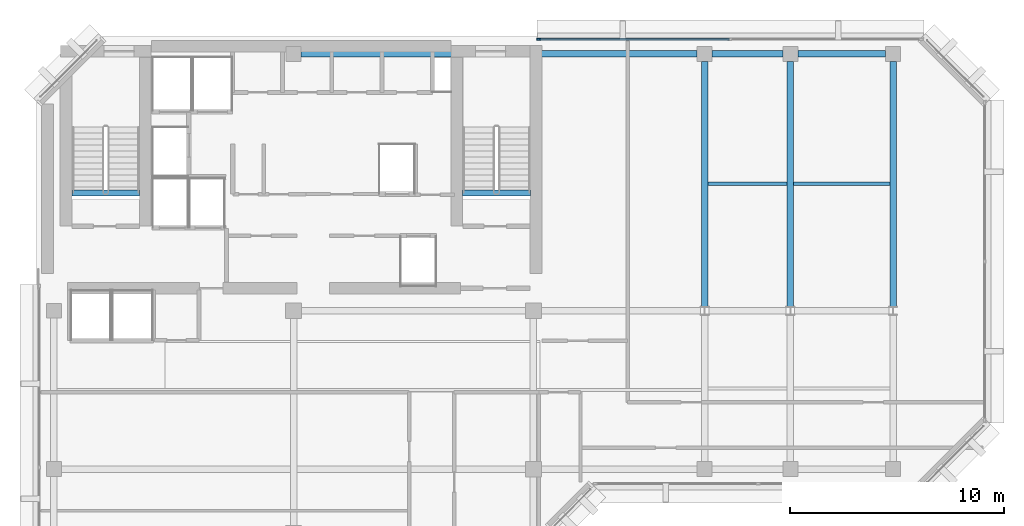
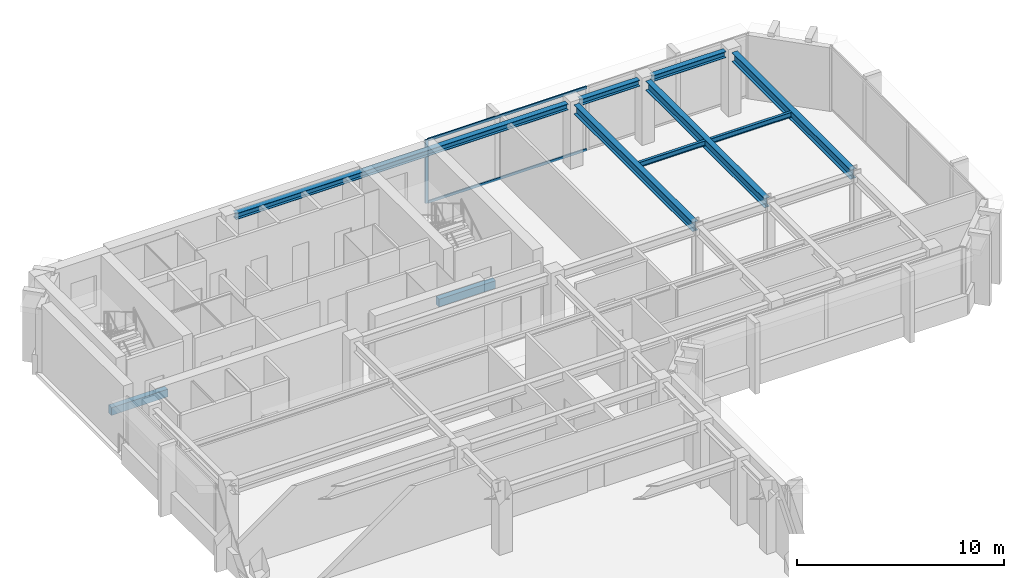
# One storey, part 4 of 12: 10 beams, 3 members, 1 element without a shape of its own.
"""IFC4 building model written with IfcOpenShell, lengths in metres."""

import ifcopenshell
import ifcopenshell.guid

model = None  # the IFC model being written
_history = None  # IfcOwnerHistory: only IFC2X3 demands one
_inside = {}  # id of a spatial element -> (the spatial element, [elements in it])
_under = {}  # id of a project, library or spatial element -> (it, [spatial elements below it])
_declared = {}  # id of a project -> (the project, [libraries it declares])
_typed = {}  # id of a type object -> (the type object, [elements of that type])
_made_of = {}  # id of a material, layer set ... -> (it, [elements and type objects made of it])


def new_model(schema):
    """Start an empty IFC model of exactly this schema.

    Asked for "IFC4X3", IfcOpenShell would pick the latest addendum, in which some entities
    have other attributes; the version numbers below select the first issue.
    IFC2X3 requires an IfcOwnerHistory on every rooted entity: one is made here for all.
    """
    global model, _history
    if schema == "IFC4X3":
        model = ifcopenshell.file(schema_version=(4, 3, 0, 0))
    else:
        model = ifcopenshell.file(schema=schema)
    _inside.clear()
    _under.clear()
    _declared.clear()
    _typed.clear()
    _made_of.clear()
    _history = None
    if model.schema == "IFC2X3":
        org = make("IfcOrganization", Name="unknown")
        user = make(
            "IfcPersonAndOrganization",
            ThePerson=make("IfcPerson", FamilyName="unknown"),
            TheOrganization=org,
        )
        app = make(
            "IfcApplication",
            ApplicationDeveloper=org,
            Version="unknown",
            ApplicationFullName="unknown",
            ApplicationIdentifier="unknown",
        )
        _history = make(
            "IfcOwnerHistory",
            OwningUser=user,
            OwningApplication=app,
            ChangeAction="ADDED",
            CreationDate=0,
        )
    return model


def make(cls, **values):
    """One entity of the class cls with the attributes given. An attribute that is None is left unset."""
    return model.create_entity(
        cls, **{name: value for name, value in values.items() if value is not None}
    )


def rooted(cls, **values):
    """An entity with a GlobalId (a new one), such as an element, a storey or a relation."""
    return make(cls, GlobalId=ifcopenshell.guid.new(), OwnerHistory=_history, **values)


def si_unit(unit_type, name, prefix=None):
    """IfcSIUnit, for example si_unit("LENGTHUNIT", "METRE", prefix="MILLI")."""
    return make("IfcSIUnit", UnitType=unit_type, Prefix=prefix, Name=name)


def assignment(units):
    """IfcUnitAssignment: the units of a project."""
    return None if units is None else make("IfcUnitAssignment", Units=units)


def point(xyz):
    """IfcCartesianPoint."""
    return None if xyz is None else make("IfcCartesianPoint", Coordinates=xyz)


def direction(xyz):
    """IfcDirection."""
    return None if xyz is None else make("IfcDirection", DirectionRatios=xyz)


def frame(location, z_axis=None, x_axis=None):
    """IfcAxis2Placement3D, a coordinate frame: its origin and axes. An axis left out is left unset."""
    return make(
        "IfcAxis2Placement3D",
        Location=point(location),
        Axis=direction(z_axis),
        RefDirection=direction(x_axis),
    )


def frame_2d(location, x_axis=None):
    """IfcAxis2Placement2D, a coordinate frame in the plane: its origin and x axis."""
    return make(
        "IfcAxis2Placement2D", Location=point(location), RefDirection=direction(x_axis)
    )


def origin():
    """The frame at (0, 0, 0) with its axes left unset."""
    return frame((0.0, 0.0, 0.0))


def origin_2d():
    """The frame at (0, 0) in the plane with its x axis left unset."""
    return frame_2d((0.0, 0.0))


def place(relative_to, where):
    """IfcLocalPlacement: puts the frame where relative to a parent placement (None: the world)."""
    return make(
        "IfcLocalPlacement", PlacementRelTo=relative_to, RelativePlacement=where
    )


def context(
    kind, dimensions, precision=None, world=None, true_north=None, identifier=None
):
    """IfcGeometricRepresentationContext, for example the 3D "Model" context."""
    return make(
        "IfcGeometricRepresentationContext",
        ContextIdentifier=identifier,
        ContextType=kind,
        CoordinateSpaceDimension=dimensions,
        Precision=precision,
        WorldCoordinateSystem=world,
        TrueNorth=true_north,
    )


def subcontext(parent, identifier, kind, view, scale=None):
    """IfcGeometricRepresentationSubContext, for example "Body" below "Model"."""
    return make(
        "IfcGeometricRepresentationSubContext",
        ContextIdentifier=identifier,
        ContextType=kind,
        ParentContext=parent,
        TargetScale=scale,
        TargetView=view,
    )


def project(units=None, contexts=None):
    """IfcProject with its units and contexts."""
    return rooted(
        "IfcProject",
        Name="project",
        RepresentationContexts=contexts,
        UnitsInContext=assignment(units),
    )


def spatial(cls, under=None, at=None, **own):
    """A site, building, storey or space (cls), placed at a placement, below another one or the project."""
    s = rooted(cls, ObjectPlacement=at, **own)
    if under is not None:
        _under.setdefault(under.id(), (under, []))[1].append(s)
    return s


def profile(cls, at=None, kind="AREA", **sizes):
    """A parametric profile (cls). Its sizes go by their IFC names, for example OverallWidth=200.0."""
    return make(cls, ProfileType=kind, Position=at, **sizes)


def rectangle(**sizes):
    """IfcRectangleProfileDef."""
    return profile("IfcRectangleProfileDef", **sizes)


def i_section(**sizes):
    """IfcIShapeProfileDef."""
    return profile("IfcIShapeProfileDef", **sizes)


def extrude(swept, where, along, depth):
    """IfcExtrudedAreaSolid: the profile swept, set in the frame where, extruded along a direction by depth."""
    return make(
        "IfcExtrudedAreaSolid",
        SweptArea=swept,
        Position=where,
        ExtrudedDirection=direction(along),
        Depth=depth,
    )


def shape(context_of_items, identifier, shape_type, items):
    """IfcShapeRepresentation: the items that make up one representation, for example the "Body"."""
    return make(
        "IfcShapeRepresentation",
        ContextOfItems=context_of_items,
        RepresentationIdentifier=identifier,
        RepresentationType=shape_type,
        Items=items,
    )


def material(Name=None, Category=None):
    """IfcMaterial."""
    return make("IfcMaterial", Name=Name, Category=Category)


def layer(
    of_material, thickness, ventilated=None, Name=None, Category=None, Priority=None
):
    """IfcMaterialLayer: one layer of a wall or slab, of a material (None: an air gap)."""
    return make(
        "IfcMaterialLayer",
        Material=of_material,
        LayerThickness=thickness,
        IsVentilated=ventilated,
        Name=Name,
        Category=Category,
        Priority=Priority,
    )


def layer_set(layers, Name=None):
    """IfcMaterialLayerSet."""
    return make("IfcMaterialLayerSet", MaterialLayers=layers, LayerSetName=Name)


def material_profile(
    of_material, cross_section, Name=None, Category=None, Priority=None
):
    """IfcMaterialProfile: a cross section and its material."""
    return make(
        "IfcMaterialProfile",
        Name=Name,
        Material=of_material,
        Profile=cross_section,
        Priority=Priority,
        Category=Category,
    )


def profile_set(profiles, Name=None, composite=None):
    """IfcMaterialProfileSet."""
    return make(
        "IfcMaterialProfileSet",
        Name=Name,
        MaterialProfiles=profiles,
        CompositeProfile=composite,
    )


def made_of(thing, what):
    """Note that an element or type object is made of a material, layer set ...; save() writes the relation."""
    if what is not None:
        _made_of.setdefault(what.id(), (what, []))[1].append(thing)
    return thing


def type_object(cls, material=None, **own):
    """A type object (cls), such as IfcWallType, which elements share."""
    return made_of(rooted(cls, **own), material)


def element(
    cls,
    number,
    at=None,
    inside=None,
    cuts=None,
    type_object=None,
    material=None,
    context=None,
    identifier="Body",
    shape_type=None,
    held_by="IfcProductDefinitionShape",
    body=None,
    shapes=None,
    **own,
):
    """One element of the class cls, such as IfcWall. Its Tag is "e" and its number.

    at: its placement. inside: the storey or other place that contains it. cuts: it is an
    opening in that element (IfcRelVoidsElement). A single representation is given by context,
    identifier, shape_type and body (its items); several are given by shapes. held_by: the class
    of the entity that holds the representations. save() writes the other relations.
    """
    e = rooted(cls, Tag="e%d" % number, ObjectPlacement=at, **own)
    if body is not None:
        shapes = [shape(context, identifier, shape_type, body)]
    if shapes is not None:
        e.Representation = make(held_by, Representations=shapes)
    if inside is not None:
        _inside.setdefault(inside.id(), (inside, []))[1].append(e)
    if cuts is not None:
        rooted(
            "IfcRelVoidsElement", RelatingBuildingElement=cuts, RelatedOpeningElement=e
        )
    if type_object is not None:
        _typed.setdefault(type_object.id(), (type_object, []))[1].append(e)
    return made_of(e, material)


def aggregate(whole, parts):
    """IfcRelAggregates: a whole, such as a stair, and the parts it consists of."""
    return rooted("IfcRelAggregates", RelatingObject=whole, RelatedObjects=parts)


def save(model, path):
    """Write the relations noted so far, then the file.

    IfcRelAggregates (storeys below a building ...), IfcRelContainedInSpatialStructure (elements
    in a storey), IfcRelDefinesByType, IfcRelAssociatesMaterial and IfcRelDeclares: one each for
    every whole, place, type object, material and project.
    """
    for whole, parts in _under.values():
        aggregate(whole, parts)
    for where, things in _inside.values():
        rooted(
            "IfcRelContainedInSpatialStructure",
            RelatedElements=things,
            RelatingStructure=where,
        )
    for kind, things in _typed.values():
        rooted("IfcRelDefinesByType", RelatedObjects=things, RelatingType=kind)
    for what, things in _made_of.values():
        rooted("IfcRelAssociatesMaterial", RelatedObjects=things, RelatingMaterial=what)
    for by, libraries in _declared.values():
        rooted("IfcRelDeclares", RelatingContext=by, RelatedDefinitions=libraries)
    model.write(path)


model = new_model("IFC4")

# Units and contexts
model_context = context("Model", 3, precision=1e-05, world=origin(), true_north=direction((0.0, 1.0)))
body_context = subcontext(model_context, "Body", "Model", "MODEL_VIEW")
ifc_project = project(units=[si_unit("LENGTHUNIT", "METRE"), si_unit("AREAUNIT", "SQUARE_METRE"), si_unit("VOLUMEUNIT", "CUBIC_METRE"), si_unit("PLANEANGLEUNIT", "RADIAN"), si_unit("MASSUNIT", "GRAM", prefix="KILO")], contexts=[model_context])

# Site, building, storey
site_placement = place(None, origin())
site = spatial("IfcSite", under=ifc_project, at=site_placement, CompositionType="ELEMENT")
building_placement = place(site_placement, origin())
building = spatial("IfcBuilding", under=site, at=building_placement, Name="Kefirva Bronze Tower", CompositionType="ELEMENT")
storey_placement = place(building_placement, frame((0.0, 0.0, 327.68994140625)))
storey = spatial("IfcBuildingStorey", under=building, at=storey_placement, Name="L80", CompositionType="ELEMENT", Elevation=327.68994140625)

# Curtain wall, members
ifc_material_1 = material(Name="Bronze anodised aluminium", Category="aluminium")
ifc_layer = layer(ifc_material_1, 0.179931640625, Name="Bronze anodised aluminium")
ifc_layer_set = layer_set([ifc_layer], Name="Bronze anodised aluminium")
curtain_wall_type = type_object("IfcCurtainWallType", Name="Unitised Bronze Ribbon Curtain Wall Zone 4", PredefinedType="USERDEFINED", material=ifc_layer_set)
curtain_wall_placement = place(storey_placement, origin())
curtain_wall = element("IfcCurtainWall", 1, at=curtain_wall_placement, inside=storey, type_object=curtain_wall_type, Name="L80 Curtain Wall 3", ObjectType="UNITISED CURTAIN WALL", PredefinedType="USERDEFINED")
ifc_material_profile_1 = material_profile(ifc_material_1, rectangle(XDim=0.074951171875, YDim=0.179931640625, at=origin_2d()), Name="ALU 75x180")
ifc_profile_set_1 = profile_set([ifc_material_profile_1], Name="Bronze anodised aluminium")
member_type_1 = type_object("IfcMemberType", Name="Bronze Mullion 75x180", PredefinedType="MULLION", material=ifc_profile_set_1)
member_1_placement = place(storey_placement, frame((23.4423828125, 45.8798828125, 0.0), z_axis=(0.0, 0.0, 1.0), x_axis=(0.0, -1.0, 0.0)))
member_1 = element("IfcMember", 2, at=member_1_placement, type_object=member_type_1, Name="CW-04 mullion 3", PredefinedType="MULLION", context=body_context, shape_type="SweptSolid", body=[
    extrude(rectangle(XDim=0.074951171875, YDim=0.179931640625, at=origin_2d()), origin(), (0.0, 0.0, 1.0), 3.739990234375),
])
ifc_material_profile_2 = material_profile(ifc_material_1, rectangle(XDim=0.074951171875, YDim=0.14990234375, at=origin_2d()), Name="ALU 75x150")
ifc_profile_set_2 = profile_set([ifc_material_profile_2], Name="Bronze anodised aluminium")
member_type_2 = type_object("IfcMemberType", Name="Bronze Transom 75x150", PredefinedType="USERDEFINED", material=ifc_profile_set_2)
member_2_placement = place(storey_placement, frame((32.33740234375, 45.8798828125, 0.03759765625), z_axis=(-1.0, 0.0, 0.0), x_axis=(0.0, -1.0, 0.0)))
member_2 = element("IfcMember", 3, at=member_2_placement, type_object=member_type_2, Name="CW-04 transom 2.1", ObjectType="TRANSOM", PredefinedType="USERDEFINED", context=body_context, shape_type="SweptSolid", body=[
    extrude(rectangle(XDim=0.074951171875, YDim=0.14990234375, at=origin_2d()), origin(), (0.0, 0.0, 1.0), 8.857421875),
])
member_3_placement = place(storey_placement, frame((32.33740234375, 45.8798828125, 3.70263671875), z_axis=(-1.0, 0.0, 0.0), x_axis=(0.0, -1.0, 0.0)))
member_3 = element("IfcMember", 4, at=member_3_placement, type_object=member_type_2, Name="CW-04 transom 2.2", ObjectType="TRANSOM", PredefinedType="USERDEFINED", context=body_context, shape_type="SweptSolid", body=[
    extrude(rectangle(XDim=0.074951171875, YDim=0.14990234375, at=origin_2d()), origin(), (0.0, 0.0, 1.0), 8.857421875),
])
aggregate(curtain_wall, [member_1, member_2, member_3])

# Beams
ifc_material_2 = material(Name="Concrete C50/60", Category="concrete")
ifc_material_profile_3 = material_profile(ifc_material_2, rectangle(XDim=0.300048828125, YDim=0.449951171875, at=origin_2d()), Name="RC 300x450")
ifc_profile_set_3 = profile_set([ifc_material_profile_3], Name="Concrete C50/60")
beam_type_1 = type_object("IfcBeamType", Name="RC Stair Trimmer Beam 300x450", PredefinedType="BEAM", material=ifc_profile_set_3)
beam_1_placement = place(storey_placement, frame((1.64501953125, 38.699951171875, -0.224853515625), z_axis=(1.0, 0.0, 0.0), x_axis=(0.0, 1.0, 0.0)))
element("IfcBeam", 5, at=beam_1_placement, inside=storey, type_object=beam_type_1, Name="L80 Stair 1 Landing Trimmer Beam", PredefinedType="BEAM", context=body_context, shape_type="SweptSolid", body=[
    extrude(rectangle(XDim=0.300048828125, YDim=0.449951171875, at=origin_2d()), origin(), (0.0, 0.0, 1.0), 3.14990234375),
])
beam_2_placement = place(storey_placement, frame((19.89501953125, 38.699951171875, -0.224853515625), z_axis=(1.0, 0.0, 0.0), x_axis=(0.0, 1.0, 0.0)))
element("IfcBeam", 6, at=beam_2_placement, inside=storey, type_object=beam_type_1, Name="L80 Stair 2 Landing Trimmer Beam", PredefinedType="BEAM", context=body_context, shape_type="SweptSolid", body=[
    extrude(rectangle(XDim=0.300048828125, YDim=0.449951171875, at=origin_2d()), origin(), (0.0, 0.0, 1.0), 3.159912109375),
])
ifc_material_3 = material(Name="Steel S355", Category="steel")
ifc_material_profile_4 = material_profile(ifc_material_3, i_section(OverallWidth=0.14990234375, OverallDepth=0.300048828125, WebThickness=0.007080078125, FlangeThickness=0.0107421875, at=origin_2d()), Name="IPE 300")
ifc_profile_set_4 = profile_set([ifc_material_profile_4], Name="Steel S355")
beam_type_2 = type_object("IfcBeamType", Name="Steel Floor Joist IPE 300", PredefinedType="JOIST", material=ifc_profile_set_4)
beam_3_placement = place(storey_placement, frame((31.35009765625, 39.12890625, 3.590087890625), z_axis=(1.0, 0.0, 0.0), x_axis=(0.0, 1.0, 0.0)))
element("IfcBeam", 7, at=beam_3_placement, inside=storey, type_object=beam_type_2, Name="L80 JST-L80-31-391", PredefinedType="JOIST", context=body_context, shape_type="SweptSolid", body=[
    extrude(i_section(OverallWidth=0.14990234375, OverallDepth=0.300048828125, WebThickness=0.007080078125, FlangeThickness=0.0107421875, at=origin_2d()), origin(), (0.0, 0.0, 1.0), 3.699951171875),
])
beam_4_placement = place(storey_placement, frame((35.35009765625, 39.12890625, 3.590087890625), z_axis=(1.0, 0.0, 0.0), x_axis=(0.0, 1.0, 0.0)))
element("IfcBeam", 8, at=beam_4_placement, inside=storey, type_object=beam_type_2, Name="L80 JST-L80-35-391", PredefinedType="JOIST", context=body_context, shape_type="SweptSolid", body=[
    extrude(i_section(OverallWidth=0.14990234375, OverallDepth=0.300048828125, WebThickness=0.007080078125, FlangeThickness=0.0107421875, at=origin_2d()), origin(), (0.0, 0.0, 1.0), 4.5),
])
ifc_material_profile_5 = material_profile(ifc_material_3, i_section(OverallWidth=0.300048828125, OverallDepth=0.550048828125, WebThickness=0.014892578125, FlangeThickness=0.029052734375, at=origin_2d()), Name="HEB 550")
ifc_profile_set_5 = profile_set([ifc_material_profile_5], Name="Steel S355")
beam_type_3 = type_object("IfcBeamType", Name="Steel Girder HEB 550", PredefinedType="USERDEFINED", material=ifc_profile_set_5)
for number, where, z_axis, x_axis, name in (
    (9, (31.199951171875, 33.407958984375, 3.465087890625), (0.0, 1.0, 0.0), (-1.0, 0.0, 0.0), "L80 BM-L80-NS-312-33"),
    (10, (35.199951171875, 33.407958984375, 3.465087890625), (0.0, 1.0, 0.0), (-1.0, 0.0, 0.0), "L80 BM-L80-NS-352-33"),
    (11, (40.0, 33.407958984375, 3.465087890625), (0.0, 1.0, 0.0), (-1.0, 0.0, 0.0), "L80 BM-L80-NS-400-33"),
):
    element("IfcBeam", number, at=place(storey_placement, frame(where, z_axis=z_axis, x_axis=x_axis)), inside=storey, type_object=beam_type_3, Name=name, ObjectType="GIRDER", PredefinedType="USERDEFINED", context=body_context, shape_type="SweptSolid", body=[
        extrude(i_section(OverallWidth=0.300048828125, OverallDepth=0.550048828125, WebThickness=0.014892578125, FlangeThickness=0.029052734375, at=origin_2d()), origin(), (0.0, 0.0, 1.0), 11.442138671875),
    ])
ifc_material_profile_6 = material_profile(ifc_material_3, i_section(OverallWidth=0.300048828125, OverallDepth=0.360107421875, WebThickness=0.012451171875, FlangeThickness=0.0224609375, at=origin_2d()), Name="HEB 360")
ifc_profile_set_6 = profile_set([ifc_material_profile_6], Name="Steel S355")
beam_type_4 = type_object("IfcBeamType", Name="Steel Spandrel HEB 360 Ext", PredefinedType="SPANDREL", material=ifc_profile_set_6)
beam_5_placement = place(storey_placement, frame((12.35009765625, 45.199951171875, 3.56005859375), z_axis=(1.0, 0.0, 0.0), x_axis=(0.0, 1.0, 0.0)))
element("IfcBeam", 12, at=beam_5_placement, inside=storey, type_object=beam_type_4, Name="L80 BM-L80-EW-12-452", PredefinedType="SPANDREL", context=body_context, shape_type="SweptSolid", body=[
    extrude(i_section(OverallWidth=0.300048828125, OverallDepth=0.360107421875, WebThickness=0.012451171875, FlangeThickness=0.0224609375, at=origin_2d()), origin(), (0.0, 0.0, 1.0), 18.5),
])
beam_6_placement = place(storey_placement, frame((31.550048828125, 45.199951171875, 3.56005859375), z_axis=(1.0, 0.0, 0.0), x_axis=(0.0, 1.0, 0.0)))
element("IfcBeam", 13, at=beam_6_placement, inside=storey, type_object=beam_type_4, Name="L80 BM-L80-EW-31-452", PredefinedType="SPANDREL", context=body_context, shape_type="SweptSolid", body=[
    extrude(i_section(OverallWidth=0.300048828125, OverallDepth=0.360107421875, WebThickness=0.012451171875, FlangeThickness=0.0224609375, at=origin_2d()), origin(), (0.0, 0.0, 1.0), 3.300048828125),
])
beam_7_placement = place(storey_placement, frame((35.550048828125, 45.199951171875, 3.56005859375), z_axis=(1.0, 0.0, 0.0), x_axis=(0.0, 1.0, 0.0)))
element("IfcBeam", 14, at=beam_7_placement, inside=storey, type_object=beam_type_4, Name="L80 BM-L80-EW-35-452", PredefinedType="SPANDREL", context=body_context, shape_type="SweptSolid", body=[
    extrude(i_section(OverallWidth=0.300048828125, OverallDepth=0.360107421875, WebThickness=0.012451171875, FlangeThickness=0.0224609375, at=origin_2d()), origin(), (0.0, 0.0, 1.0), 4.099853515625),
])

save(model, "model.ifc")
